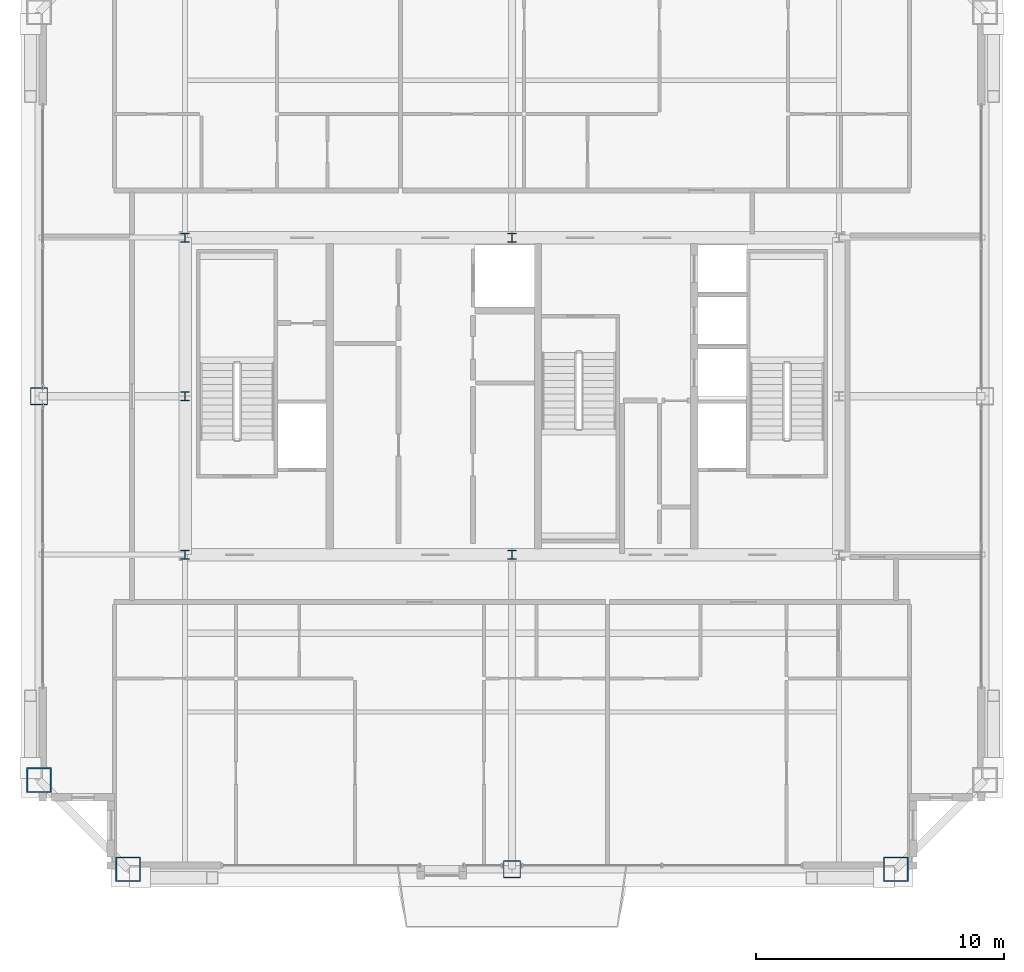
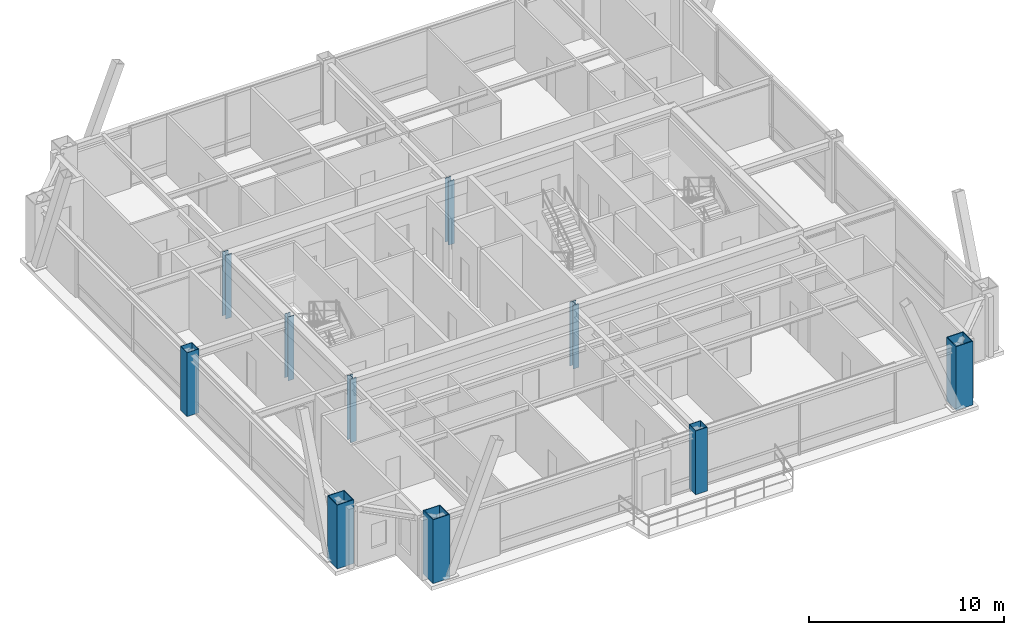
# One storey, part 1 of 35: 10 columns.
"""IFC4 building model written with IfcOpenShell, lengths in metres."""

from ifc_helpers import new_model, si_unit, direction, frame, origin, origin_2d, place, context, subcontext, project, spatial, hollow_rectangle, i_section, extrude, source, transform, mapped, material, material_profile, profile_set, type_object, element, save


model = new_model("IFC4")

# Units and contexts
model_context = context("Model", 3, precision=1e-05, world=origin(), true_north=direction((0.0, 1.0)))
body_context = subcontext(model_context, "Body", "Model", "MODEL_VIEW")
ifc_project = project(units=[si_unit("LENGTHUNIT", "METRE"), si_unit("AREAUNIT", "SQUARE_METRE"), si_unit("VOLUMEUNIT", "CUBIC_METRE"), si_unit("PLANEANGLEUNIT", "RADIAN"), si_unit("MASSUNIT", "GRAM", prefix="KILO"), si_unit("THERMODYNAMICTEMPERATUREUNIT", "KELVIN"), si_unit("POWERUNIT", "WATT")], contexts=[model_context])

# Site, building, storey
site_placement = place(None, origin())
site = spatial("IfcSite", under=ifc_project, at=site_placement, CompositionType="ELEMENT")
building_placement = place(site_placement, origin())
building = spatial("IfcBuilding", under=site, at=building_placement, Name="Yuzanri Waterfront Tower", CompositionType="ELEMENT")
storey_placement = place(building_placement, frame((0.0, 0.0, 343.199951171875)))
storey = spatial("IfcBuildingStorey", under=building, at=storey_placement, Name="L92", CompositionType="ELEMENT", Elevation=343.199951171875)

# Columns
ifc_material_1 = material(Name="Steel Q355B", Category="steel")
ifc_material_profile_1 = material_profile(ifc_material_1, i_section(OverallWidth=0.35009765625, OverallDepth=0.35009765625, WebThickness=0.011962890625, FlangeThickness=0.01904296875, at=origin_2d()), Name="HW 350x350x12x19")
ifc_profile_set_1 = profile_set([ifc_material_profile_1], Name="Steel Q355B")
column_type_1 = type_object("IfcColumnType", Name="Core Post Q355B HW 350x350x12x19", PredefinedType="COLUMN", material=ifc_profile_set_1)
shared_shape_1 = source(origin(), body_context, "Body", "SweptSolid", [
    extrude(i_section(OverallWidth=0.35009765625, OverallDepth=0.35009765625, WebThickness=0.011962890625, FlangeThickness=0.01904296875, at=origin_2d()), origin(), (0.0, 0.0, 1.0), 4.0),
])
for number, where, z_axis, x_axis, name in (
    (1, (23.800048828125, 19.39990234375, 0.0), (0.0, 0.0, 1.0), (1.0, 0.0, 0.0), "L92 Core Boundary Column CP1"),
    (2, (37.0, 19.39990234375, 0.0), (0.0, 0.0, 1.0), (1.0, 0.0, 0.0), "L92 Core Boundary Column CP2"),
    (3, (23.800048828125, 25.800048828125, 0.0), (0.0, 0.0, 1.0), (1.0, 0.0, 0.0), "L92 Core Boundary Column CP4"),
    (4, (23.800048828125, 32.199951171875, 0.0), (0.0, 0.0, 1.0), (1.0, 0.0, 0.0), "L92 Core Boundary Column CP6"),
    (5, (37.0, 32.199951171875, 0.0), (0.0, 0.0, 1.0), (1.0, 0.0, 0.0), "L92 Core Boundary Column CP7"),
):
    element("IfcColumn", number, at=place(storey_placement, frame(where, z_axis=z_axis, x_axis=x_axis)), inside=storey, type_object=column_type_1, Name=name, PredefinedType="COLUMN", context=body_context, shape_type="MappedRepresentation", body=[
        mapped(shared_shape_1, transform((0.0, 0.0, 0.0), scale=1.0)),
    ])
ifc_material_2 = material(Name="Steel Q390GJC", Category="steel")
ifc_material_profile_2 = material_profile(ifc_material_2, hollow_rectangle(XDim=1.0, YDim=1.0, WallThickness=0.048095703125, at=origin_2d()), Name="RHS 1000x1000x48")
ifc_profile_set_2 = profile_set([ifc_material_profile_2], Name="Steel Q390GJC")
column_type_2 = type_object("IfcColumnType", Name="Mega Column Q390GJC RHS 1000x1000x48", PredefinedType="COLUMN", material=ifc_profile_set_2)
shared_shape_2 = source(origin(), body_context, "Body", "SweptSolid", [
    extrude(hollow_rectangle(XDim=1.0, YDim=1.0, WallThickness=0.048095703125, at=origin_2d()), origin(), (0.0, 0.0, 1.0), 4.0),
])
for number, where, z_axis, x_axis, name in (
    (6, (21.5, 6.699951171875, 0.0), (0.0, 0.0, 1.0), (1.0, 0.0, 0.0), "L92 Perimeter Mega Column S1"),
    (7, (52.5, 6.699951171875, 0.0), (0.0, 0.0, 1.0), (1.0, 0.0, 0.0), "L92 Perimeter Mega Column S3"),
    (8, (17.89990234375, 10.300048828125, 0.0), (0.0, 0.0, 1.0), (1.0, 0.0, 0.0), "L92 Perimeter Mega Column W1"),
):
    element("IfcColumn", number, at=place(storey_placement, frame(where, z_axis=z_axis, x_axis=x_axis)), inside=storey, type_object=column_type_2, Name=name, PredefinedType="COLUMN", context=body_context, shape_type="MappedRepresentation", body=[
        mapped(shared_shape_2, transform((0.0, 0.0, 0.0), scale=1.0)),
    ])
ifc_material_3 = material(Name="Steel Q355B", Category="steel")
ifc_material_profile_3 = material_profile(ifc_material_3, hollow_rectangle(XDim=0.699951171875, YDim=0.699951171875, WallThickness=0.031982421875, at=origin_2d()), Name="RHS 700x700x32")
ifc_profile_set_3 = profile_set([ifc_material_profile_3], Name="Steel Q355B")
column_type_3 = type_object("IfcColumnType", Name="Frame Column Q355B RHS 700x700x32", PredefinedType="COLUMN", material=ifc_profile_set_3)
shared_shape_3 = source(origin(), body_context, "Body", "SweptSolid", [
    extrude(hollow_rectangle(XDim=0.699951171875, YDim=0.699951171875, WallThickness=0.031982421875, at=origin_2d()), origin(), (0.0, 0.0, 1.0), 4.0),
])
for number, where, z_axis, x_axis, name in (
    (9, (37.0, 6.699951171875, 0.0), (0.0, 0.0, 1.0), (1.0, 0.0, 0.0), "L92 Perimeter Frame Column S2"),
    (10, (17.89990234375, 25.800048828125, 0.0), (0.0, 0.0, 1.0), (1.0, 0.0, 0.0), "L92 Perimeter Frame Column W2"),
):
    element("IfcColumn", number, at=place(storey_placement, frame(where, z_axis=z_axis, x_axis=x_axis)), inside=storey, type_object=column_type_3, Name=name, PredefinedType="COLUMN", context=body_context, shape_type="MappedRepresentation", body=[
        mapped(shared_shape_3, transform((0.0, 0.0, 0.0), scale=1.0)),
    ])

save(model, "model.ifc")
